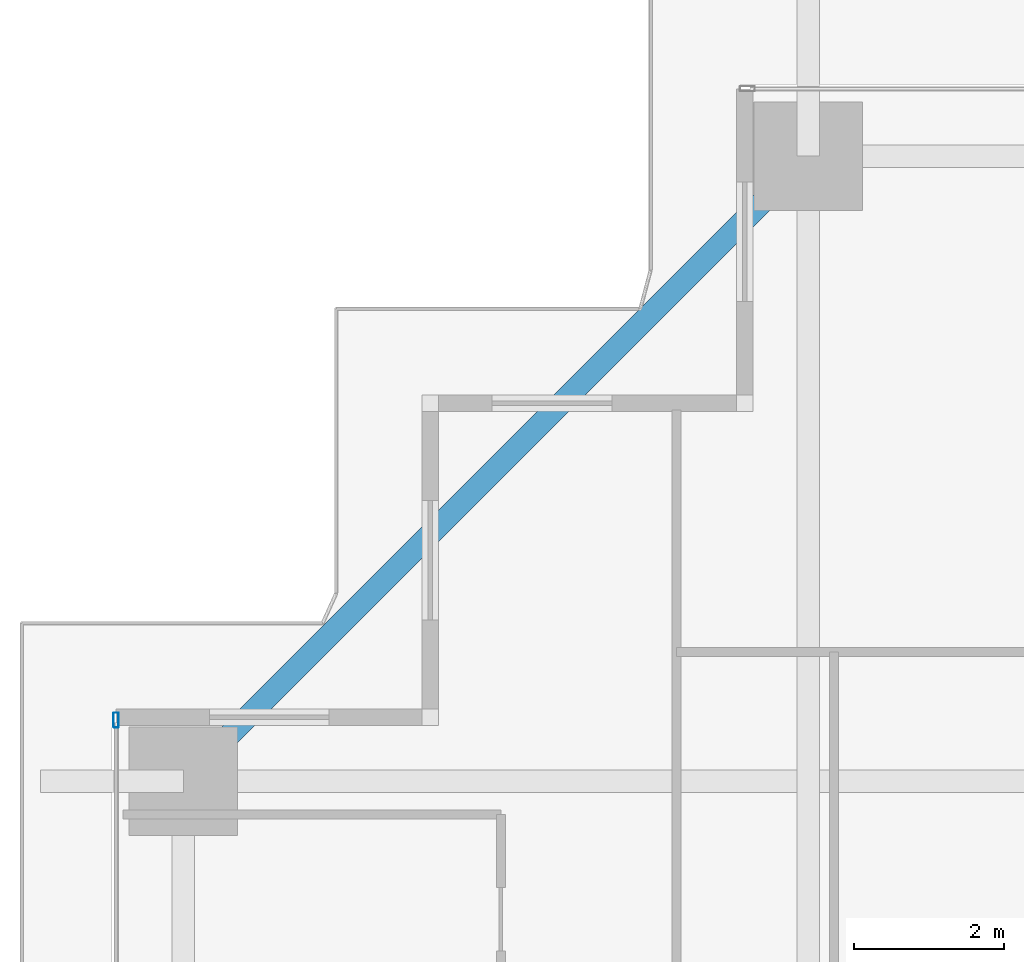
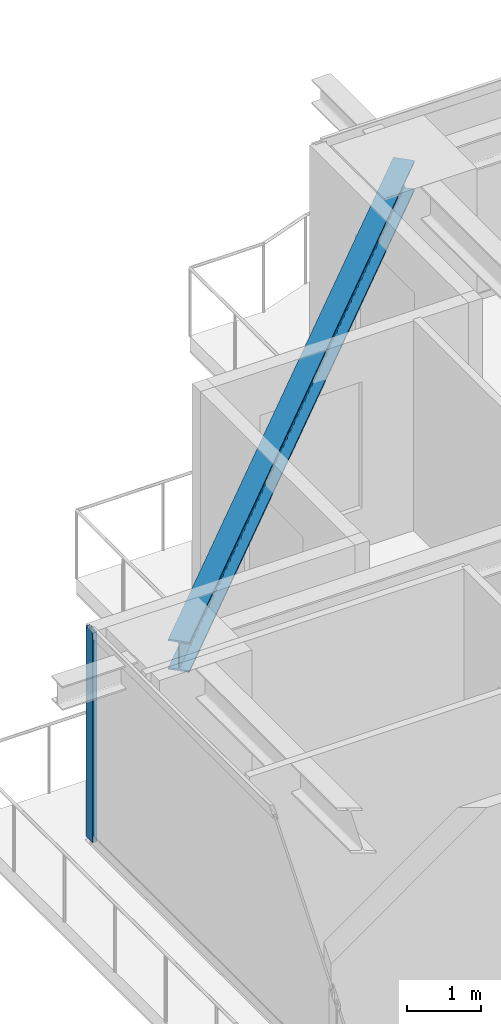
# One storey, part 18 of 37: 1 beam, 1 member, 1 element without a shape of its own.
"""IFC4 building model written with IfcOpenShell, lengths in metres."""

import ifcopenshell
import ifcopenshell.guid

model = None  # the IFC model being written
_history = None  # IfcOwnerHistory: only IFC2X3 demands one
_inside = {}  # id of a spatial element -> (the spatial element, [elements in it])
_under = {}  # id of a project, library or spatial element -> (it, [spatial elements below it])
_declared = {}  # id of a project -> (the project, [libraries it declares])
_typed = {}  # id of a type object -> (the type object, [elements of that type])
_made_of = {}  # id of a material, layer set ... -> (it, [elements and type objects made of it])


def new_model(schema):
    """Start an empty IFC model of exactly this schema.

    Asked for "IFC4X3", IfcOpenShell would pick the latest addendum, in which some entities
    have other attributes; the version numbers below select the first issue.
    IFC2X3 requires an IfcOwnerHistory on every rooted entity: one is made here for all.
    """
    global model, _history
    if schema == "IFC4X3":
        model = ifcopenshell.file(schema_version=(4, 3, 0, 0))
    else:
        model = ifcopenshell.file(schema=schema)
    _inside.clear()
    _under.clear()
    _declared.clear()
    _typed.clear()
    _made_of.clear()
    _history = None
    if model.schema == "IFC2X3":
        org = make("IfcOrganization", Name="unknown")
        user = make(
            "IfcPersonAndOrganization",
            ThePerson=make("IfcPerson", FamilyName="unknown"),
            TheOrganization=org,
        )
        app = make(
            "IfcApplication",
            ApplicationDeveloper=org,
            Version="unknown",
            ApplicationFullName="unknown",
            ApplicationIdentifier="unknown",
        )
        _history = make(
            "IfcOwnerHistory",
            OwningUser=user,
            OwningApplication=app,
            ChangeAction="ADDED",
            CreationDate=0,
        )
    return model


def make(cls, **values):
    """One entity of the class cls with the attributes given. An attribute that is None is left unset."""
    return model.create_entity(
        cls, **{name: value for name, value in values.items() if value is not None}
    )


def rooted(cls, **values):
    """An entity with a GlobalId (a new one), such as an element, a storey or a relation."""
    return make(cls, GlobalId=ifcopenshell.guid.new(), OwnerHistory=_history, **values)


def si_unit(unit_type, name, prefix=None):
    """IfcSIUnit, for example si_unit("LENGTHUNIT", "METRE", prefix="MILLI")."""
    return make("IfcSIUnit", UnitType=unit_type, Prefix=prefix, Name=name)


def assignment(units):
    """IfcUnitAssignment: the units of a project."""
    return None if units is None else make("IfcUnitAssignment", Units=units)


def point(xyz):
    """IfcCartesianPoint."""
    return None if xyz is None else make("IfcCartesianPoint", Coordinates=xyz)


def direction(xyz):
    """IfcDirection."""
    return None if xyz is None else make("IfcDirection", DirectionRatios=xyz)


def frame(location, z_axis=None, x_axis=None):
    """IfcAxis2Placement3D, a coordinate frame: its origin and axes. An axis left out is left unset."""
    return make(
        "IfcAxis2Placement3D",
        Location=point(location),
        Axis=direction(z_axis),
        RefDirection=direction(x_axis),
    )


def frame_2d(location, x_axis=None):
    """IfcAxis2Placement2D, a coordinate frame in the plane: its origin and x axis."""
    return make(
        "IfcAxis2Placement2D", Location=point(location), RefDirection=direction(x_axis)
    )


def origin():
    """The frame at (0, 0, 0) with its axes left unset."""
    return frame((0.0, 0.0, 0.0))


def origin_2d():
    """The frame at (0, 0) in the plane with its x axis left unset."""
    return frame_2d((0.0, 0.0))


def place(relative_to, where):
    """IfcLocalPlacement: puts the frame where relative to a parent placement (None: the world)."""
    return make(
        "IfcLocalPlacement", PlacementRelTo=relative_to, RelativePlacement=where
    )


def context(
    kind, dimensions, precision=None, world=None, true_north=None, identifier=None
):
    """IfcGeometricRepresentationContext, for example the 3D "Model" context."""
    return make(
        "IfcGeometricRepresentationContext",
        ContextIdentifier=identifier,
        ContextType=kind,
        CoordinateSpaceDimension=dimensions,
        Precision=precision,
        WorldCoordinateSystem=world,
        TrueNorth=true_north,
    )


def subcontext(parent, identifier, kind, view, scale=None):
    """IfcGeometricRepresentationSubContext, for example "Body" below "Model"."""
    return make(
        "IfcGeometricRepresentationSubContext",
        ContextIdentifier=identifier,
        ContextType=kind,
        ParentContext=parent,
        TargetScale=scale,
        TargetView=view,
    )


def project(units=None, contexts=None):
    """IfcProject with its units and contexts."""
    return rooted(
        "IfcProject",
        Name="project",
        RepresentationContexts=contexts,
        UnitsInContext=assignment(units),
    )


def spatial(cls, under=None, at=None, **own):
    """A site, building, storey or space (cls), placed at a placement, below another one or the project."""
    s = rooted(cls, ObjectPlacement=at, **own)
    if under is not None:
        _under.setdefault(under.id(), (under, []))[1].append(s)
    return s


def profile(cls, at=None, kind="AREA", **sizes):
    """A parametric profile (cls). Its sizes go by their IFC names, for example OverallWidth=200.0."""
    return make(cls, ProfileType=kind, Position=at, **sizes)


def hollow_rectangle(**sizes):
    """IfcRectangleHollowProfileDef."""
    return profile("IfcRectangleHollowProfileDef", **sizes)


def i_section(**sizes):
    """IfcIShapeProfileDef."""
    return profile("IfcIShapeProfileDef", **sizes)


def extrude(swept, where, along, depth):
    """IfcExtrudedAreaSolid: the profile swept, set in the frame where, extruded along a direction by depth."""
    return make(
        "IfcExtrudedAreaSolid",
        SweptArea=swept,
        Position=where,
        ExtrudedDirection=direction(along),
        Depth=depth,
    )


def shape(context_of_items, identifier, shape_type, items):
    """IfcShapeRepresentation: the items that make up one representation, for example the "Body"."""
    return make(
        "IfcShapeRepresentation",
        ContextOfItems=context_of_items,
        RepresentationIdentifier=identifier,
        RepresentationType=shape_type,
        Items=items,
    )


def source(mapping_origin, context_of_items, identifier, shape_type, items):
    """IfcRepresentationMap: a shape defined once, which mapped items show again and again."""
    return make(
        "IfcRepresentationMap",
        MappingOrigin=mapping_origin,
        MappedRepresentation=shape(context_of_items, identifier, shape_type, items),
    )


def transform(
    local_origin,
    x_axis=None,
    y_axis=None,
    z_axis=None,
    scale=None,
    scale2=None,
    scale3=None,
    uniform=True,
):
    """IfcCartesianTransformationOperator3D, or its non-uniform kind. x_axis, y_axis, z_axis: its Axis1, 2, 3."""
    if uniform:
        return make(
            "IfcCartesianTransformationOperator3D",
            Axis1=direction(x_axis),
            Axis2=direction(y_axis),
            LocalOrigin=point(local_origin),
            Scale=scale,
            Axis3=direction(z_axis),
        )
    return make(
        "IfcCartesianTransformationOperator3DnonUniform",
        Axis1=direction(x_axis),
        Axis2=direction(y_axis),
        LocalOrigin=point(local_origin),
        Scale=scale,
        Axis3=direction(z_axis),
        Scale2=scale2,
        Scale3=scale3,
    )


def mapped(mapping_source, mapping_target):
    """IfcMappedItem: shows the shape of a source again, moved by a transform."""
    return make(
        "IfcMappedItem", MappingSource=mapping_source, MappingTarget=mapping_target
    )


def material(Name=None, Category=None):
    """IfcMaterial."""
    return make("IfcMaterial", Name=Name, Category=Category)


def layer(
    of_material, thickness, ventilated=None, Name=None, Category=None, Priority=None
):
    """IfcMaterialLayer: one layer of a wall or slab, of a material (None: an air gap)."""
    return make(
        "IfcMaterialLayer",
        Material=of_material,
        LayerThickness=thickness,
        IsVentilated=ventilated,
        Name=Name,
        Category=Category,
        Priority=Priority,
    )


def layer_set(layers, Name=None):
    """IfcMaterialLayerSet."""
    return make("IfcMaterialLayerSet", MaterialLayers=layers, LayerSetName=Name)


def material_profile(
    of_material, cross_section, Name=None, Category=None, Priority=None
):
    """IfcMaterialProfile: a cross section and its material."""
    return make(
        "IfcMaterialProfile",
        Name=Name,
        Material=of_material,
        Profile=cross_section,
        Priority=Priority,
        Category=Category,
    )


def profile_set(profiles, Name=None, composite=None):
    """IfcMaterialProfileSet."""
    return make(
        "IfcMaterialProfileSet",
        Name=Name,
        MaterialProfiles=profiles,
        CompositeProfile=composite,
    )


def made_of(thing, what):
    """Note that an element or type object is made of a material, layer set ...; save() writes the relation."""
    if what is not None:
        _made_of.setdefault(what.id(), (what, []))[1].append(thing)
    return thing


def type_object(cls, material=None, **own):
    """A type object (cls), such as IfcWallType, which elements share."""
    return made_of(rooted(cls, **own), material)


def element(
    cls,
    number,
    at=None,
    inside=None,
    cuts=None,
    type_object=None,
    material=None,
    context=None,
    identifier="Body",
    shape_type=None,
    held_by="IfcProductDefinitionShape",
    body=None,
    shapes=None,
    **own,
):
    """One element of the class cls, such as IfcWall. Its Tag is "e" and its number.

    at: its placement. inside: the storey or other place that contains it. cuts: it is an
    opening in that element (IfcRelVoidsElement). A single representation is given by context,
    identifier, shape_type and body (its items); several are given by shapes. held_by: the class
    of the entity that holds the representations. save() writes the other relations.
    """
    e = rooted(cls, Tag="e%d" % number, ObjectPlacement=at, **own)
    if body is not None:
        shapes = [shape(context, identifier, shape_type, body)]
    if shapes is not None:
        e.Representation = make(held_by, Representations=shapes)
    if inside is not None:
        _inside.setdefault(inside.id(), (inside, []))[1].append(e)
    if cuts is not None:
        rooted(
            "IfcRelVoidsElement", RelatingBuildingElement=cuts, RelatedOpeningElement=e
        )
    if type_object is not None:
        _typed.setdefault(type_object.id(), (type_object, []))[1].append(e)
    return made_of(e, material)


def aggregate(whole, parts):
    """IfcRelAggregates: a whole, such as a stair, and the parts it consists of."""
    return rooted("IfcRelAggregates", RelatingObject=whole, RelatedObjects=parts)


def save(model, path):
    """Write the relations noted so far, then the file.

    IfcRelAggregates (storeys below a building ...), IfcRelContainedInSpatialStructure (elements
    in a storey), IfcRelDefinesByType, IfcRelAssociatesMaterial and IfcRelDeclares: one each for
    every whole, place, type object, material and project.
    """
    for whole, parts in _under.values():
        aggregate(whole, parts)
    for where, things in _inside.values():
        rooted(
            "IfcRelContainedInSpatialStructure",
            RelatedElements=things,
            RelatingStructure=where,
        )
    for kind, things in _typed.values():
        rooted("IfcRelDefinesByType", RelatedObjects=things, RelatingType=kind)
    for what, things in _made_of.values():
        rooted("IfcRelAssociatesMaterial", RelatedObjects=things, RelatingMaterial=what)
    for by, libraries in _declared.values():
        rooted("IfcRelDeclares", RelatingContext=by, RelatedDefinitions=libraries)
    model.write(path)


model = new_model("IFC4")

# Units and contexts
model_context = context("Model", 3, precision=1e-05, world=origin(), true_north=direction((0.0, 1.0)))
body_context = subcontext(model_context, "Body", "Model", "MODEL_VIEW")
ifc_project = project(units=[si_unit("LENGTHUNIT", "METRE"), si_unit("AREAUNIT", "SQUARE_METRE"), si_unit("VOLUMEUNIT", "CUBIC_METRE"), si_unit("PLANEANGLEUNIT", "RADIAN"), si_unit("MASSUNIT", "GRAM", prefix="KILO")], contexts=[model_context])

# Site, building, storey
site_placement = place(None, origin())
site = spatial("IfcSite", under=ifc_project, at=site_placement, CompositionType="ELEMENT")
building_placement = place(site_placement, origin())
building = spatial("IfcBuilding", under=site, at=building_placement, Name="Serunith Strait Residences", CompositionType="ELEMENT")
storey_placement = place(building_placement, frame((0.0, 0.0, 34.199951171875)))
storey = spatial("IfcBuildingStorey", under=building, at=storey_placement, Name="L07", CompositionType="ELEMENT", Elevation=34.199951171875)

# Beam
ifc_material_1 = material(Name="Steel S355J2", Category="steel")
ifc_material_profile_1 = material_profile(ifc_material_1, i_section(OverallWidth=0.300048828125, OverallDepth=0.5, WebThickness=0.014404296875, FlangeThickness=0.028076171875, FilletRadius=0.027099609375, at=origin_2d()), Name="HEB 500")
ifc_profile_set_1 = profile_set([ifc_material_profile_1], Name="Steel S355J2")
beam_type = type_object("IfcBeamType", Name="BM-HEB500", PredefinedType="BEAM", material=ifc_profile_set_1)
shared_shape_1 = source(origin(), body_context, "Body", "SweptSolid", [
    extrude(i_section(OverallWidth=0.300048828125, OverallDepth=0.5, WebThickness=0.014404296875, FlangeThickness=0.028076171875, FilletRadius=0.027099609375, at=origin_2d()), origin(), (0.0, 0.0, 1.0), 11.808837890625),
])
beam_placement = place(storey_placement, frame((15.25, 49.300048828125, 3.20703125), z_axis=(-0.707106781187, -0.707106781187, 0.0), x_axis=(0.707106781187, -0.707106781187, 0.0)))
element("IfcBeam", 1, at=beam_placement, inside=storey, type_object=beam_type, Name="L07 Perimeter Ring Beam 12", PredefinedType="BEAM", context=body_context, shape_type="MappedRepresentation", body=[
    mapped(shared_shape_1, transform((0.0, 0.0, 0.0), scale=1.0)),
])

# Curtain wall, member
ifc_material_2 = material(Name="Pale-Champagne Anodised Aluminium", Category="aluminium")
ifc_layer = layer(ifc_material_2, 0.199951171875, Name="Pale-Champagne Anodised Aluminium")
ifc_layer_set = layer_set([ifc_layer], Name="Pale-Champagne Anodised Aluminium")
curtain_wall_type = type_object("IfcCurtainWallType", Name="CW-SYS1", PredefinedType="NOTDEFINED", material=ifc_layer_set)
curtain_wall_placement = place(storey_placement, origin())
curtain_wall = element("IfcCurtainWall", 2, at=curtain_wall_placement, inside=storey, type_object=curtain_wall_type, Name="L07 W Unitised Fritted Curtain Wall", PredefinedType="NOTDEFINED")
ifc_material_profile_2 = material_profile(ifc_material_2, hollow_rectangle(XDim=0.070068359375, YDim=0.199951171875, WallThickness=0.00390625, InnerFilletRadius=0.006103515625, OuterFilletRadius=0.010009765625, at=origin_2d()), Name="ALU 200x70x4")
ifc_profile_set_2 = profile_set([ifc_material_profile_2], Name="Pale-Champagne Anodised Aluminium")
member_type = type_object("IfcMemberType", Name="CW-SYS1-MULL", PredefinedType="MULLION", material=ifc_profile_set_2)
shared_shape_2 = source(origin(), body_context, "Body", "SweptSolid", [
    extrude(hollow_rectangle(XDim=0.070068359375, YDim=0.199951171875, WallThickness=0.00390625, InnerFilletRadius=0.006103515625, OuterFilletRadius=0.010009765625, at=origin_2d()), origin(), (0.0, 0.0, 1.0), 3.47509765625),
])
member_placement = place(storey_placement, frame((6.0, 41.764892578125, 0.0), z_axis=(0.0, 0.0, 1.0), x_axis=(1.0, 0.0, 0.0)))
member = element("IfcMember", 3, at=member_placement, type_object=member_type, Name="CW-1 mullion 1", PredefinedType="MULLION", context=body_context, shape_type="MappedRepresentation", body=[
    mapped(shared_shape_2, transform((0.0, 0.0, 0.0), scale=1.0)),
])
aggregate(curtain_wall, [member])

save(model, "model.ifc")
